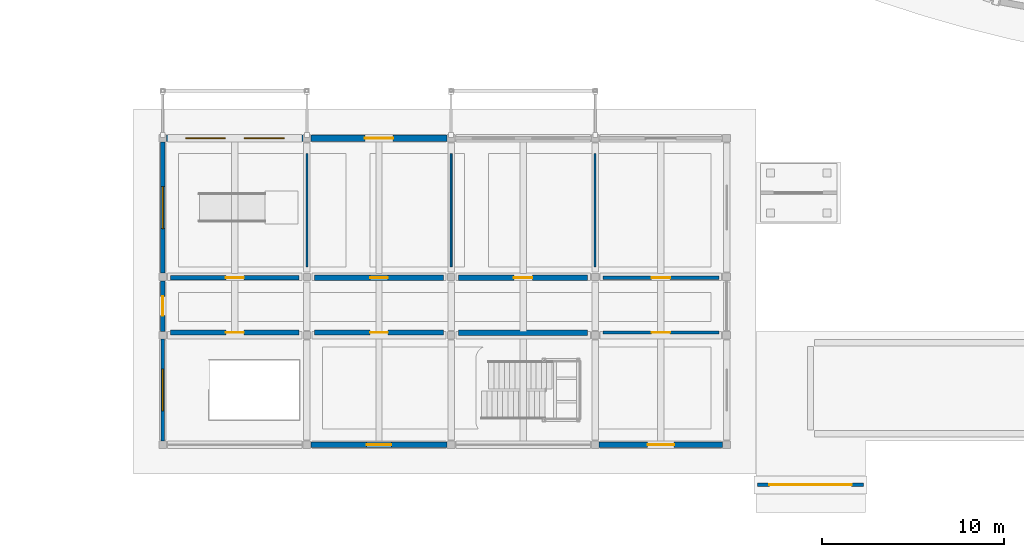
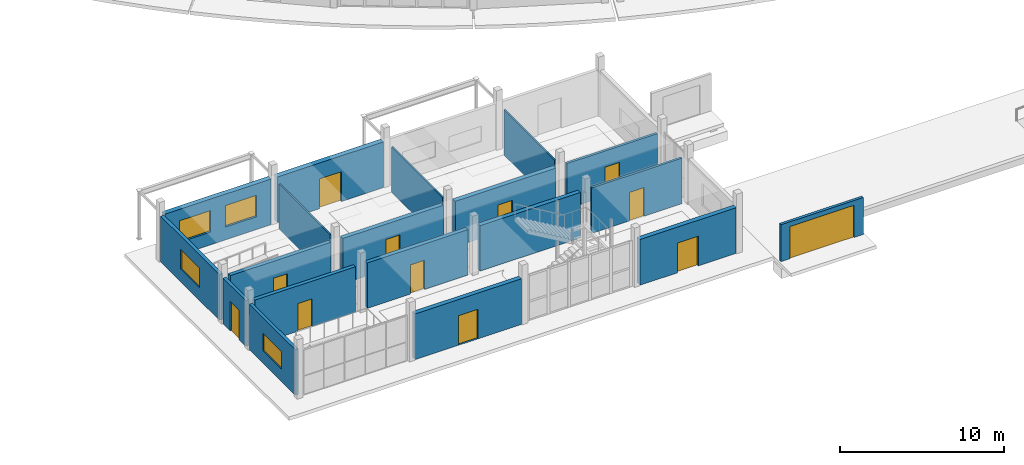
# One storey, part 65 of 92: 19 walls, 12 doors, 4 windows, 16 openings.
"""IFC4 building model written with IfcOpenShell, lengths in metres."""

from ifc_helpers import new_model, si_unit, direction, frame, frame_2d, origin, place, context, subcontext, project, spatial, rectangle, extrude, material, layer, layer_set, type_object, element, fill, save


model = new_model("IFC4")

# Units and contexts
model_context = context("Model", 3, precision=1e-05, world=origin(), true_north=direction((0.0, 1.0)))
body_context = subcontext(model_context, "Body", "Model", "MODEL_VIEW")
ifc_project = project(units=[si_unit("LENGTHUNIT", "METRE"), si_unit("AREAUNIT", "SQUARE_METRE"), si_unit("VOLUMEUNIT", "CUBIC_METRE"), si_unit("PLANEANGLEUNIT", "RADIAN"), si_unit("MASSUNIT", "GRAM", prefix="KILO")], contexts=[model_context])

# Site, building, storey
site_placement = place(None, origin())
site = spatial("IfcSite", under=ifc_project, at=site_placement, CompositionType="ELEMENT")
building_placement = place(site_placement, origin())
building = spatial("IfcBuilding", under=site, at=building_placement, Name="Caldaven Crescent School", CompositionType="ELEMENT")
storey_placement = place(building_placement, origin())
storey = spatial("IfcBuildingStorey", under=building, at=storey_placement, Name="L00", CompositionType="ELEMENT", Elevation=0.0)

# Wall, opening, door
ifc_material_1 = material(Name="Precast concrete C35/45", Category="concrete")
ifc_layer_1 = layer(ifc_material_1, 0.19189453125)
ifc_layer_set_1 = layer_set([ifc_layer_1], Name="Precast concrete C35/45")
wall_type_1 = type_object("IfcWallType", Name="WAL-EW01", PredefinedType="STANDARD", material=ifc_layer_set_1)
wall_1_placement = place(storey_placement, frame((58.10009765625, 2.0, 0.0), z_axis=(0.0, 0.0, 1.0), x_axis=(1.0, 0.0, 0.0)))
wall_1 = element("IfcWall", 1, at=wall_1_placement, inside=storey, type_object=wall_type_1, Name="WAL-GATE-VG1", PredefinedType="STANDARD", context=body_context, shape_type="SweptSolid", body=[
    extrude(rectangle(XDim=5.7998046875, YDim=0.19189453125, at=frame_2d((2.89990234375, 0.0))), origin(), (0.0, 0.0, 1.0), 2.75),
])
opening_1_placement = place(wall_1_placement, frame((0.64990234375, 0.0, 0.0)))
opening_1 = element("IfcOpeningElement", 2, at=opening_1_placement, cuts=wall_1, Name="Opening VG1", PredefinedType="OPENING", context=body_context, shape_type="SweptSolid", body=[
    extrude(rectangle(XDim=4.5, YDim=2.39990234375, at=frame_2d((2.25, 1.199951171875))), frame((0.0, 0.10595703125, 0.0), z_axis=(0.0, -1.0, 0.0), x_axis=(1.0, 0.0, 0.0)), (0.0, 0.0, 1.0), 0.2119140625),
])
ifc_material_2 = material(Name="Powder-coated galvanised tubular steel security gate", Category="steel")
door_type_1 = type_object("IfcDoorType", Name="DOR-GT01", OperationType="NOTDEFINED", PredefinedType="GATE", material=ifc_material_2)
door_1_placement = place(opening_1_placement, frame((4.5, 0.0, 0.0), z_axis=(0.0, 0.0, 1.0), x_axis=(-1.0, 0.0, 0.0)))
door_1 = element("IfcDoor", 3, at=door_1_placement, inside=storey, type_object=door_type_1, Name="GATE-VG1", OperationType="DOUBLE_DOOR_SINGLE_SWING", OverallHeight=2.39990234375, OverallWidth=4.5, PredefinedType="GATE", context=body_context, shape_type="SweptSolid", body=[
    extrude(rectangle(XDim=4.5, YDim=2.39990234375, at=frame_2d((2.25, 1.199951171875))), frame((0.0, 0.02490234375, 0.0), z_axis=(0.0, -1.0, 0.0), x_axis=(1.0, 0.0, 0.0)), (0.0, 0.0, 1.0), 0.050048828125),
])
fill(opening_1, door_1)

# Wall, opening, window
ifc_layer_2 = layer(ifc_material_1, 0.216064453125)
ifc_layer_set_2 = layer_set([ifc_layer_2], Name="Precast concrete C35/45")
wall_type_2 = type_object("IfcWallType", Name="WAL-EW03", PredefinedType="STANDARD", material=ifc_layer_set_2)
wall_2_placement = place(storey_placement, frame((25.5, 4.4130859375, 0.0), z_axis=(0.0, 0.0, 1.0), x_axis=(0.0, 1.0, 0.0)))
wall_2 = element("IfcWall", 4, at=wall_2_placement, inside=storey, type_object=wall_type_2, Name="EW-L00-058", PredefinedType="STANDARD", context=body_context, shape_type="SweptSolid", body=[
    extrude(rectangle(XDim=5.573974609375, YDim=0.216064453125, at=frame_2d((2.787109375, 0.0))), origin(), (0.0, 0.0, 1.0), 3.39990234375),
])
opening_2_placement = place(wall_2_placement, frame((1.636962890625, 0.0, 0.949951171875)))
opening_2 = element("IfcOpeningElement", 5, at=opening_2_placement, cuts=wall_2, Name="Opening W42", PredefinedType="OPENING", context=body_context, shape_type="SweptSolid", body=[
    extrude(rectangle(XDim=2.300048828125, YDim=1.300048828125, at=frame_2d((1.14990234375, 0.64990234375))), frame((0.0, 0.117919921875, 0.0), z_axis=(0.0, -1.0, 0.0), x_axis=(1.0, 0.0, 0.0)), (0.0, 0.0, 1.0), 0.236083984375),
])
ifc_material_3 = material(Name="Thermally broken anodised aluminium AA 6063-T6 and low-E double glazing", Category="aluminium")
window_type_1 = type_object("IfcWindowType", Name="WIN-W42", PartitioningType="SINGLE_PANEL", PredefinedType="WINDOW", material=ifc_material_3)
window_1_placement = place(opening_2_placement, origin())
window_1 = element("IfcWindow", 6, at=window_1_placement, inside=storey, type_object=window_type_1, Name="WIN-L00-041-1", OverallHeight=1.300048828125, OverallWidth=2.300048828125, PartitioningType="SINGLE_PANEL", PredefinedType="WINDOW", context=body_context, shape_type="SweptSolid", body=[
    extrude(rectangle(XDim=2.300048828125, YDim=1.300048828125, at=frame_2d((1.14990234375, 0.64990234375))), frame((0.0, 0.030029296875, 0.0), z_axis=(0.0, -1.0, 0.0), x_axis=(1.0, 0.0, 0.0)), (0.0, 0.0, 1.0), 0.06005859375),
])
fill(opening_2, window_1)

# Wall, opening, door
ifc_layer_3 = layer(ifc_material_1, 0.22802734375)
ifc_layer_set_3 = layer_set([ifc_layer_3], Name="Precast concrete C35/45")
wall_type_3 = type_object("IfcWallType", Name="WAL-EW04", PredefinedType="STANDARD", material=ifc_layer_set_3)
wall_3_placement = place(storey_placement, frame((25.5, 10.4130859375, 0.0), z_axis=(0.0, 0.0, 1.0), x_axis=(0.0, 1.0, 0.0)))
wall_3 = element("IfcWall", 7, at=wall_3_placement, inside=storey, type_object=wall_type_3, Name="EW-L00-059", PredefinedType="STANDARD", context=body_context, shape_type="SweptSolid", body=[
    extrude(rectangle(XDim=2.77392578125, YDim=0.22802734375, at=frame_2d((1.386962890625, 0.0))), origin(), (0.0, 0.0, 1.0), 3.39990234375),
])
opening_3_placement = place(wall_3_placement, frame((0.85693359375, 0.0, 0.0)))
opening_3 = element("IfcOpeningElement", 8, at=opening_3_placement, cuts=wall_3, Name="Opening D-L00-E018", PredefinedType="OPENING", context=body_context, shape_type="SweptSolid", body=[
    extrude(rectangle(XDim=1.06005859375, YDim=2.179931640625, at=frame_2d((0.530029296875, 1.08984375))), frame((0.0, 0.1240234375, 0.0), z_axis=(0.0, -1.0, 0.0), x_axis=(1.0, 0.0, 0.0)), (0.0, 0.0, 1.0), 0.248046875),
])
ifc_material_4 = material(Name="Thermally broken bronze-anodised aluminium and laminated safety glass", Category="aluminium")
door_type_2 = type_object("IfcDoorType", Name="DOR-EX03", OperationType="NOTDEFINED", PredefinedType="DOOR", material=ifc_material_4)
door_2_placement = place(opening_3_placement, origin())
door_2 = element("IfcDoor", 9, at=door_2_placement, inside=storey, type_object=door_type_2, Name="DOR-EXT-L00-018", OperationType="SINGLE_SWING_LEFT", OverallHeight=2.179931640625, OverallWidth=1.06005859375, PredefinedType="DOOR", context=body_context, shape_type="SweptSolid", body=[
    extrude(rectangle(XDim=1.06005859375, YDim=2.179931640625, at=frame_2d((0.530029296875, 1.08984375))), frame((0.0, 0.02490234375, 0.0), z_axis=(0.0, -1.0, 0.0), x_axis=(1.0, 0.0, 0.0)), (0.0, 0.0, 1.0), 0.050048828125),
])
fill(opening_3, door_2)

# Wall, opening, window
ifc_layer_4 = layer(ifc_material_1, 0.239990234375)
ifc_layer_set_4 = layer_set([ifc_layer_4], Name="Precast concrete C35/45")
wall_type_4 = type_object("IfcWallType", Name="WAL-EW05", PredefinedType="STANDARD", material=ifc_layer_set_4)
wall_4_placement = place(storey_placement, frame((25.5, 13.613037109375, 0.0), z_axis=(0.0, 0.0, 1.0), x_axis=(0.0, 1.0, 0.0)))
wall_4 = element("IfcWall", 10, at=wall_4_placement, inside=storey, type_object=wall_type_4, Name="EW-L00-060", PredefinedType="STANDARD", context=body_context, shape_type="SweptSolid", body=[
    extrude(rectangle(XDim=7.174072265625, YDim=0.239990234375, at=frame_2d((3.5869140625, 0.0))), origin(), (0.0, 0.0, 1.0), 3.39990234375),
])
opening_4_placement = place(wall_4_placement, frame((2.43701171875, 0.0, 0.949951171875)))
opening_4 = element("IfcOpeningElement", 11, at=opening_4_placement, cuts=wall_4, Name="Opening W43", PredefinedType="OPENING", context=body_context, shape_type="SweptSolid", body=[
    extrude(rectangle(XDim=2.300048828125, YDim=1.449951171875, at=frame_2d((1.14990234375, 0.72509765625))), frame((0.0, 0.1298828125, 0.0), z_axis=(0.0, -1.0, 0.0), x_axis=(1.0, 0.0, 0.0)), (0.0, 0.0, 1.0), 0.260009765625),
])
window_type_2 = type_object("IfcWindowType", Name="WIN-W43", PartitioningType="SINGLE_PANEL", PredefinedType="WINDOW", material=ifc_material_3)
window_2_placement = place(opening_4_placement, origin())
window_2 = element("IfcWindow", 12, at=window_2_placement, inside=storey, type_object=window_type_2, Name="WIN-L00-042-1", OverallHeight=1.449951171875, OverallWidth=2.300048828125, PartitioningType="SINGLE_PANEL", PredefinedType="WINDOW", context=body_context, shape_type="SweptSolid", body=[
    extrude(rectangle(XDim=2.300048828125, YDim=1.449951171875, at=frame_2d((1.14990234375, 0.72509765625))), frame((0.0, 0.030029296875, 0.0), z_axis=(0.0, -1.0, 0.0), x_axis=(1.0, 0.0, 0.0)), (0.0, 0.0, 1.0), 0.06005859375),
])
fill(opening_4, window_2)

# Wall, opening, door
ifc_layer_5 = layer(ifc_material_1, 0.31201171875)
ifc_layer_set_5 = layer_set([ifc_layer_5], Name="Precast concrete C35/45")
wall_type_5 = type_object("IfcWallType", Name="WAL-EW11", PredefinedType="STANDARD", material=ifc_layer_set_5)
wall_5_placement = place(storey_placement, frame((33.613037109375, 4.199951171875, 0.0), z_axis=(0.0, 0.0, 1.0), x_axis=(1.0, 0.0, 0.0)))
wall_5 = element("IfcWall", 13, at=wall_5_placement, inside=storey, type_object=wall_type_5, Name="EW-L00-052", PredefinedType="STANDARD", context=body_context, shape_type="SweptSolid", body=[
    extrude(rectangle(XDim=7.473876953125, YDim=0.31201171875, at=frame_2d((3.73681640625, 0.0))), origin(), (0.0, 0.0, 1.0), 3.39990234375),
])
opening_5_placement = place(wall_5_placement, frame((3.06201171875, 0.0, 0.0)))
opening_5 = element("IfcOpeningElement", 14, at=opening_5_placement, cuts=wall_5, Name="Opening D-L00-E014", PredefinedType="OPENING", context=body_context, shape_type="SweptSolid", body=[
    extrude(rectangle(XDim=1.35009765625, YDim=2.199951171875, at=frame_2d((0.675048828125, 1.10009765625))), frame((0.0, 0.166015625, 0.0), z_axis=(0.0, -1.0, 0.0), x_axis=(1.0, 0.0, 0.0)), (0.0, 0.0, 1.0), 0.33203125),
])
door_type_3 = type_object("IfcDoorType", Name="DOR-EX06", OperationType="NOTDEFINED", PredefinedType="DOOR", material=ifc_material_4)
door_3_placement = place(opening_5_placement, frame((1.35009765625, 0.0, 0.0), z_axis=(0.0, 0.0, 1.0), x_axis=(-1.0, 0.0, 0.0)))
door_3 = element("IfcDoor", 15, at=door_3_placement, inside=storey, type_object=door_type_3, Name="DOR-EXT-L00-014", OperationType="DOUBLE_DOOR_SINGLE_SWING", OverallHeight=2.199951171875, OverallWidth=1.35009765625, PredefinedType="DOOR", context=body_context, shape_type="SweptSolid", body=[
    extrude(rectangle(XDim=1.35009765625, YDim=2.199951171875, at=frame_2d((0.675048828125, 1.10009765625))), frame((0.0, 0.02490234375, 0.0), z_axis=(0.0, -1.0, 0.0), x_axis=(1.0, 0.0, 0.0)), (0.0, 0.0, 1.0), 0.050048828125),
])
fill(opening_5, door_3)

ifc_layer_6 = layer(ifc_material_1, 0.323974609375)
ifc_layer_set_6 = layer_set([ifc_layer_6], Name="Precast concrete C35/45")
wall_type_6 = type_object("IfcWallType", Name="WAL-EW12", PredefinedType="STANDARD", material=ifc_layer_set_6)
wall_6_placement = place(storey_placement, frame((49.4130859375, 4.199951171875, 0.0), z_axis=(0.0, 0.0, 1.0), x_axis=(1.0, 0.0, 0.0)))
wall_6 = element("IfcWall", 16, at=wall_6_placement, inside=storey, type_object=wall_type_6, Name="EW-L00-053", PredefinedType="STANDARD", context=body_context, shape_type="SweptSolid", body=[
    extrude(rectangle(XDim=6.77392578125, YDim=0.323974609375, at=frame_2d((3.386962890625, 0.0))), origin(), (0.0, 0.0, 1.0), 3.39990234375),
])
opening_6_placement = place(wall_6_placement, frame((2.662109375, 0.0, 0.0)))
opening_6 = element("IfcOpeningElement", 17, at=opening_6_placement, cuts=wall_6, Name="Opening D-L00-E015", PredefinedType="OPENING", context=body_context, shape_type="SweptSolid", body=[
    extrude(rectangle(XDim=1.449951171875, YDim=2.219970703125, at=frame_2d((0.72509765625, 1.10986328125))), frame((0.0, 0.171875, 0.0), z_axis=(0.0, -1.0, 0.0), x_axis=(1.0, 0.0, 0.0)), (0.0, 0.0, 1.0), 0.343994140625),
])
door_type_4 = type_object("IfcDoorType", Name="DOR-EX07", OperationType="NOTDEFINED", PredefinedType="DOOR", material=ifc_material_4)
door_4_placement = place(opening_6_placement, frame((1.449951171875, 0.0, 0.0), z_axis=(0.0, 0.0, 1.0), x_axis=(-1.0, 0.0, 0.0)))
door_4 = element("IfcDoor", 18, at=door_4_placement, inside=storey, type_object=door_type_4, Name="DOR-EXT-L00-015", OperationType="DOUBLE_DOOR_SINGLE_SWING", OverallHeight=2.219970703125, OverallWidth=1.449951171875, PredefinedType="DOOR", context=body_context, shape_type="SweptSolid", body=[
    extrude(rectangle(XDim=1.449951171875, YDim=2.219970703125, at=frame_2d((0.72509765625, 1.10986328125))), frame((0.0, 0.02490234375, 0.0), z_axis=(0.0, -1.0, 0.0), x_axis=(1.0, 0.0, 0.0)), (0.0, 0.0, 1.0), 0.050048828125),
])
fill(opening_6, door_4)

# Wall, openings, windows
ifc_layer_7 = layer(ifc_material_1, 0.3359375)
ifc_layer_set_7 = layer_set([ifc_layer_7], Name="Precast concrete C35/45")
wall_type_7 = type_object("IfcWallType", Name="WAL-EW13", PredefinedType="STANDARD", material=ifc_layer_set_7)
wall_7_placement = place(storey_placement, frame((25.712890625, 21.0, 0.0), z_axis=(0.0, 0.0, 1.0), x_axis=(1.0, 0.0, 0.0)))
wall_7 = element("IfcWall", 19, at=wall_7_placement, inside=storey, type_object=wall_type_7, Name="EW-L00-054", PredefinedType="STANDARD", context=body_context, shape_type="SweptSolid", body=[
    extrude(rectangle(XDim=7.47412109375, YDim=0.3359375, at=frame_2d((3.737060546875, 0.0))), origin(), (0.0, 0.0, 1.0), 3.39990234375),
])
opening_7_placement = place(wall_7_placement, frame((1.0380859375, 0.0, 0.949951171875)))
opening_7 = element("IfcOpeningElement", 20, at=opening_7_placement, cuts=wall_7, Name="Opening W40", PredefinedType="OPENING", context=body_context, shape_type="SweptSolid", body=[
    extrude(rectangle(XDim=2.179931640625, YDim=1.60009765625, at=frame_2d((1.08984375, 0.800048828125))), frame((0.0, 0.177978515625, 0.0), z_axis=(0.0, -1.0, 0.0), x_axis=(1.0, 0.0, 0.0)), (0.0, 0.0, 1.0), 0.35595703125),
])
opening_8_placement = place(wall_7_placement, frame((4.256103515625, 0.0, 0.949951171875)))
opening_8 = element("IfcOpeningElement", 21, at=opening_8_placement, cuts=wall_7, Name="Opening W40", PredefinedType="OPENING", context=body_context, shape_type="SweptSolid", body=[
    extrude(rectangle(XDim=2.179931640625, YDim=1.60009765625, at=frame_2d((1.08984375, 0.800048828125))), frame((0.0, 0.177978515625, 0.0), z_axis=(0.0, -1.0, 0.0), x_axis=(1.0, 0.0, 0.0)), (0.0, 0.0, 1.0), 0.35595703125),
])
window_type_3 = type_object("IfcWindowType", Name="WIN-W40", PartitioningType="SINGLE_PANEL", PredefinedType="WINDOW", material=ifc_material_3)
window_3_placement = place(opening_7_placement, origin())
window_3 = element("IfcWindow", 22, at=window_3_placement, inside=storey, type_object=window_type_3, Name="WIN-L00-039-1", OverallHeight=1.60009765625, OverallWidth=2.179931640625, PartitioningType="SINGLE_PANEL", PredefinedType="WINDOW", context=body_context, shape_type="SweptSolid", body=[
    extrude(rectangle(XDim=2.179931640625, YDim=1.60009765625, at=frame_2d((1.08984375, 0.800048828125))), frame((0.0, 0.030029296875, 0.0), z_axis=(0.0, -1.0, 0.0), x_axis=(1.0, 0.0, 0.0)), (0.0, 0.0, 1.0), 0.06005859375),
])
fill(opening_7, window_3)
window_4_placement = place(opening_8_placement, origin())
window_4 = element("IfcWindow", 23, at=window_4_placement, inside=storey, type_object=window_type_3, Name="WIN-L00-039-2", OverallHeight=1.60009765625, OverallWidth=2.179931640625, PartitioningType="SINGLE_PANEL", PredefinedType="WINDOW", context=body_context, shape_type="SweptSolid", body=[
    extrude(rectangle(XDim=2.179931640625, YDim=1.60009765625, at=frame_2d((1.08984375, 0.800048828125))), frame((0.0, 0.030029296875, 0.0), z_axis=(0.0, -1.0, 0.0), x_axis=(1.0, 0.0, 0.0)), (0.0, 0.0, 1.0), 0.06005859375),
])
fill(opening_8, window_4)

# Wall, opening, door
ifc_layer_8 = layer(ifc_material_1, 0.347900390625)
ifc_layer_set_8 = layer_set([ifc_layer_8], Name="Precast concrete C35/45")
wall_type_8 = type_object("IfcWallType", Name="WAL-EW14", PredefinedType="STANDARD", material=ifc_layer_set_8)
wall_8_placement = place(storey_placement, frame((33.613037109375, 21.0, 0.0), z_axis=(0.0, 0.0, 1.0), x_axis=(1.0, 0.0, 0.0)))
wall_8 = element("IfcWall", 24, at=wall_8_placement, inside=storey, type_object=wall_type_8, Name="EW-L00-055", PredefinedType="STANDARD", context=body_context, shape_type="SweptSolid", body=[
    extrude(rectangle(XDim=7.473876953125, YDim=0.347900390625, at=frame_2d((3.73681640625, 0.0))), origin(), (0.0, 0.0, 1.0), 3.39990234375),
])
opening_9_placement = place(wall_8_placement, frame((2.9619140625, 0.0, 0.0)))
opening_9 = element("IfcOpeningElement", 25, at=opening_9_placement, cuts=wall_8, Name="Opening D-L00-E016", PredefinedType="OPENING", context=body_context, shape_type="SweptSolid", body=[
    extrude(rectangle(XDim=1.550048828125, YDim=2.219970703125, at=frame_2d((0.77490234375, 1.10986328125))), frame((0.0, 0.183837890625, 0.0), z_axis=(0.0, -1.0, 0.0), x_axis=(1.0, 0.0, 0.0)), (0.0, 0.0, 1.0), 0.367919921875),
])
door_type_5 = type_object("IfcDoorType", Name="DOR-EX08", OperationType="NOTDEFINED", PredefinedType="DOOR", material=ifc_material_4)
door_5_placement = place(opening_9_placement, origin())
door_5 = element("IfcDoor", 26, at=door_5_placement, inside=storey, type_object=door_type_5, Name="DOR-EXT-L00-016", OperationType="DOUBLE_DOOR_SINGLE_SWING", OverallHeight=2.219970703125, OverallWidth=1.550048828125, PredefinedType="DOOR", context=body_context, shape_type="SweptSolid", body=[
    extrude(rectangle(XDim=1.550048828125, YDim=2.219970703125, at=frame_2d((0.77490234375, 1.10986328125))), frame((0.0, 0.02490234375, 0.0), z_axis=(0.0, -1.0, 0.0), x_axis=(1.0, 0.0, 0.0)), (0.0, 0.0, 1.0), 0.050048828125),
])
fill(opening_9, door_5)

ifc_material_5 = material(Name="Acoustic timber-stud and fire-rated gypsum board assembly", Category="wood")
ifc_layer_9 = layer(ifc_material_5, 0.159912109375)
ifc_layer_set_9 = layer_set([ifc_layer_9], Name="Acoustic timber-stud and fire-rated gypsum board assembly")
wall_type_9 = type_object("IfcWallType", Name="WAL-IW01", PredefinedType="STANDARD", material=ifc_layer_set_9)
wall_9_placement = place(storey_placement, frame((49.6201171875, 10.35009765625, 0.0), z_axis=(0.0, 0.0, 1.0), x_axis=(1.0, 0.0, 0.0)))
wall_9 = element("IfcWall", 27, at=wall_9_placement, inside=storey, type_object=wall_type_9, Name="IW-L00-0112", PredefinedType="STANDARD", context=body_context, shape_type="SweptSolid", body=[
    extrude(rectangle(XDim=6.35986328125, YDim=0.159912109375, at=frame_2d((3.179931640625, 0.0))), origin(), (0.0, 0.0, 1.0), 3.3798828125),
])
opening_10_placement = place(wall_9_placement, frame((2.669921875, 0.0, 0.0)))
opening_10 = element("IfcOpeningElement", 28, at=opening_10_placement, cuts=wall_9, Name="Opening D-L00-I077", PredefinedType="OPENING", context=body_context, shape_type="SweptSolid", body=[
    extrude(rectangle(XDim=1.02001953125, YDim=2.1201171875, at=frame_2d((0.510009765625, 1.06005859375))), frame((0.0, 0.08984375, 0.0), z_axis=(0.0, -1.0, 0.0), x_axis=(1.0, 0.0, 0.0)), (0.0, 0.0, 1.0), 0.179931640625),
])
ifc_material_6 = material(Name="Solid-core Pino Radiata acoustic timber leaf in steel frame", Category="steel")
door_type_6 = type_object("IfcDoorType", Name="DOR-ID18", OperationType="NOTDEFINED", PredefinedType="DOOR", material=ifc_material_6)
door_6_placement = place(opening_10_placement, origin())
door_6 = element("IfcDoor", 29, at=door_6_placement, inside=storey, type_object=door_type_6, Name="DOR-INT-L00-0077", OperationType="SINGLE_SWING_RIGHT", OverallHeight=2.1201171875, OverallWidth=1.02001953125, PredefinedType="DOOR", context=body_context, shape_type="SweptSolid", body=[
    extrude(rectangle(XDim=1.02001953125, YDim=2.1201171875, at=frame_2d((0.510009765625, 1.06005859375))), frame((0.0, 0.02490234375, 0.0), z_axis=(0.0, -1.0, 0.0), x_axis=(1.0, 0.0, 0.0)), (0.0, 0.0, 1.0), 0.050048828125),
])
fill(opening_10, door_6)

ifc_layer_10 = layer(ifc_material_5, 0.169921875)
ifc_layer_set_10 = layer_set([ifc_layer_10], Name="Acoustic timber-stud and fire-rated gypsum board assembly")
wall_type_10 = type_object("IfcWallType", Name="WAL-IW02", PredefinedType="STANDARD", material=ifc_layer_set_10)
wall_10_placement = place(storey_placement, frame((49.6201171875, 13.35009765625, 0.0), z_axis=(0.0, 0.0, 1.0), x_axis=(1.0, 0.0, 0.0)))
wall_10 = element("IfcWall", 30, at=wall_10_placement, inside=storey, type_object=wall_type_10, Name="IW-L00-0113", PredefinedType="STANDARD", context=body_context, shape_type="SweptSolid", body=[
    extrude(rectangle(XDim=6.35986328125, YDim=0.169921875, at=frame_2d((3.179931640625, 0.0))), origin(), (0.0, 0.0, 1.0), 3.3798828125),
])
opening_11_placement = place(wall_10_placement, frame((2.669921875, 0.0, 0.0)))
opening_11 = element("IfcOpeningElement", 31, at=opening_11_placement, cuts=wall_10, Name="Opening D-L00-I078", PredefinedType="OPENING", context=body_context, shape_type="SweptSolid", body=[
    extrude(rectangle(XDim=1.02001953125, YDim=2.179931640625, at=frame_2d((0.510009765625, 1.08984375))), frame((0.0, 0.094970703125, 0.0), z_axis=(0.0, -1.0, 0.0), x_axis=(1.0, 0.0, 0.0)), (0.0, 0.0, 1.0), 0.18994140625),
])
door_type_7 = type_object("IfcDoorType", Name="DOR-ID19", OperationType="NOTDEFINED", PredefinedType="DOOR", material=ifc_material_6)
door_7_placement = place(opening_11_placement, frame((1.02001953125, 0.0, 0.0), z_axis=(0.0, 0.0, 1.0), x_axis=(-1.0, 0.0, 0.0)))
door_7 = element("IfcDoor", 32, at=door_7_placement, inside=storey, type_object=door_type_7, Name="DOR-INT-L00-0078", OperationType="SINGLE_SWING_LEFT", OverallHeight=2.179931640625, OverallWidth=1.02001953125, PredefinedType="DOOR", context=body_context, shape_type="SweptSolid", body=[
    extrude(rectangle(XDim=1.02001953125, YDim=2.179931640625, at=frame_2d((0.510009765625, 1.08984375))), frame((0.0, 0.02490234375, 0.0), z_axis=(0.0, -1.0, 0.0), x_axis=(1.0, 0.0, 0.0)), (0.0, 0.0, 1.0), 0.050048828125),
])
fill(opening_11, door_7)

ifc_layer_11 = layer(ifc_material_5, 0.260009765625)
ifc_layer_set_11 = layer_set([ifc_layer_11], Name="Acoustic timber-stud and fire-rated gypsum board assembly")
wall_type_11 = type_object("IfcWallType", Name="WAL-IW11", PredefinedType="STANDARD", material=ifc_layer_set_11)
wall_11_placement = place(storey_placement, frame((25.919921875, 10.35009765625, 0.0), z_axis=(0.0, 0.0, 1.0), x_axis=(1.0, 0.0, 0.0)))
wall_11 = element("IfcWall", 33, at=wall_11_placement, inside=storey, type_object=wall_type_11, Name="IW-L00-0106", PredefinedType="STANDARD", context=body_context, shape_type="SweptSolid", body=[
    extrude(rectangle(XDim=7.06005859375, YDim=0.260009765625, at=frame_2d((3.530029296875, 0.0))), origin(), (0.0, 0.0, 1.0), 3.3798828125),
])
opening_12_placement = place(wall_11_placement, frame((3.0400390625, 0.0, 0.0)))
opening_12 = element("IfcOpeningElement", 34, at=opening_12_placement, cuts=wall_11, Name="Opening D-L00-I072", PredefinedType="OPENING", context=body_context, shape_type="SweptSolid", body=[
    extrude(rectangle(XDim=0.97998046875, YDim=2.06005859375, at=frame_2d((0.489990234375, 1.030029296875))), frame((0.0, 0.139892578125, 0.0), z_axis=(0.0, -1.0, 0.0), x_axis=(1.0, 0.0, 0.0)), (0.0, 0.0, 1.0), 0.280029296875),
])
door_type_8 = type_object("IfcDoorType", Name="DOR-ID13", OperationType="NOTDEFINED", PredefinedType="DOOR", material=ifc_material_6)
door_8_placement = place(opening_12_placement, origin())
door_8 = element("IfcDoor", 35, at=door_8_placement, inside=storey, type_object=door_type_8, Name="DOR-INT-L00-0072", OperationType="SINGLE_SWING_LEFT", OverallHeight=2.06005859375, OverallWidth=0.97998046875, PredefinedType="DOOR", context=body_context, shape_type="SweptSolid", body=[
    extrude(rectangle(XDim=0.97998046875, YDim=2.06005859375, at=frame_2d((0.489990234375, 1.030029296875))), frame((0.0, 0.02490234375, 0.0), z_axis=(0.0, -1.0, 0.0), x_axis=(1.0, 0.0, 0.0)), (0.0, 0.0, 1.0), 0.050048828125),
])
fill(opening_12, door_8)

ifc_material_7 = material(Name="Autoclaved aerated concrete block masonry G5", Category="masonry")
ifc_layer_12 = layer(ifc_material_7, 0.27001953125)
ifc_layer_set_12 = layer_set([ifc_layer_12], Name="Autoclaved aerated concrete block masonry G5")
wall_type_12 = type_object("IfcWallType", Name="WAL-IW12", PredefinedType="STANDARD", material=ifc_layer_set_12)
wall_12_placement = place(storey_placement, frame((25.919921875, 13.35009765625, 0.0), z_axis=(0.0, 0.0, 1.0), x_axis=(1.0, 0.0, 0.0)))
wall_12 = element("IfcWall", 36, at=wall_12_placement, inside=storey, type_object=wall_type_12, Name="IW-L00-0107", PredefinedType="STANDARD", context=body_context, shape_type="SweptSolid", body=[
    extrude(rectangle(XDim=7.06005859375, YDim=0.27001953125, at=frame_2d((3.530029296875, 0.0))), origin(), (0.0, 0.0, 1.0), 3.3798828125),
])
opening_13_placement = place(wall_12_placement, frame((3.0400390625, 0.0, 0.0)))
opening_13 = element("IfcOpeningElement", 37, at=opening_13_placement, cuts=wall_12, Name="Opening D-L00-I073", PredefinedType="OPENING", context=body_context, shape_type="SweptSolid", body=[
    extrude(rectangle(XDim=0.97998046875, YDim=2.1201171875, at=frame_2d((0.489990234375, 1.06005859375))), frame((0.0, 0.14501953125, 0.0), z_axis=(0.0, -1.0, 0.0), x_axis=(1.0, 0.0, 0.0)), (0.0, 0.0, 1.0), 0.2900390625),
])
door_type_9 = type_object("IfcDoorType", Name="DOR-ID14", OperationType="NOTDEFINED", PredefinedType="DOOR", material=ifc_material_6)
door_9_placement = place(opening_13_placement, frame((0.97998046875, 0.0, 0.0), z_axis=(0.0, 0.0, 1.0), x_axis=(-1.0, 0.0, 0.0)))
door_9 = element("IfcDoor", 38, at=door_9_placement, inside=storey, type_object=door_type_9, Name="DOR-INT-L00-0073", OperationType="SINGLE_SWING_RIGHT", OverallHeight=2.1201171875, OverallWidth=0.97998046875, PredefinedType="DOOR", context=body_context, shape_type="SweptSolid", body=[
    extrude(rectangle(XDim=0.97998046875, YDim=2.1201171875, at=frame_2d((0.489990234375, 1.06005859375))), frame((0.0, 0.02490234375, 0.0), z_axis=(0.0, -1.0, 0.0), x_axis=(1.0, 0.0, 0.0)), (0.0, 0.0, 1.0), 0.050048828125),
])
fill(opening_13, door_9)

ifc_layer_13 = layer(ifc_material_7, 0.280029296875)
ifc_layer_set_13 = layer_set([ifc_layer_13], Name="Autoclaved aerated concrete block masonry G5")
wall_type_13 = type_object("IfcWallType", Name="WAL-IW13", PredefinedType="STANDARD", material=ifc_layer_set_13)
wall_13_placement = place(storey_placement, frame((33.820068359375, 10.35009765625, 0.0), z_axis=(0.0, 0.0, 1.0), x_axis=(1.0, 0.0, 0.0)))
wall_13 = element("IfcWall", 39, at=wall_13_placement, inside=storey, type_object=wall_type_13, Name="IW-L00-0108", PredefinedType="STANDARD", context=body_context, shape_type="SweptSolid", body=[
    extrude(rectangle(XDim=7.059814453125, YDim=0.280029296875, at=frame_2d((3.52978515625, 0.0))), origin(), (0.0, 0.0, 1.0), 3.3798828125),
])
opening_14_placement = place(wall_13_placement, frame((3.0400390625, 0.0, 0.0)))
opening_14 = element("IfcOpeningElement", 40, at=opening_14_placement, cuts=wall_13, Name="Opening D-L00-I074", PredefinedType="OPENING", context=body_context, shape_type="SweptSolid", body=[
    extrude(rectangle(XDim=0.97998046875, YDim=2.179931640625, at=frame_2d((0.489990234375, 1.08984375))), frame((0.0, 0.14990234375, 0.0), z_axis=(0.0, -1.0, 0.0), x_axis=(1.0, 0.0, 0.0)), (0.0, 0.0, 1.0), 0.300048828125),
])
door_type_10 = type_object("IfcDoorType", Name="DOR-ID15", OperationType="NOTDEFINED", PredefinedType="DOOR", material=ifc_material_6)
door_10_placement = place(opening_14_placement, origin())
door_10 = element("IfcDoor", 41, at=door_10_placement, inside=storey, type_object=door_type_10, Name="DOR-INT-L00-0074", OperationType="SINGLE_SWING_LEFT", OverallHeight=2.179931640625, OverallWidth=0.97998046875, PredefinedType="DOOR", context=body_context, shape_type="SweptSolid", body=[
    extrude(rectangle(XDim=0.97998046875, YDim=2.179931640625, at=frame_2d((0.489990234375, 1.08984375))), frame((0.0, 0.02490234375, 0.0), z_axis=(0.0, -1.0, 0.0), x_axis=(1.0, 0.0, 0.0)), (0.0, 0.0, 1.0), 0.050048828125),
])
fill(opening_14, door_10)

ifc_layer_14 = layer(ifc_material_7, 0.2900390625)
ifc_layer_set_14 = layer_set([ifc_layer_14], Name="Autoclaved aerated concrete block masonry G5")
wall_type_14 = type_object("IfcWallType", Name="WAL-IW14", PredefinedType="STANDARD", material=ifc_layer_set_14)
wall_14_placement = place(storey_placement, frame((33.820068359375, 13.35009765625, 0.0), z_axis=(0.0, 0.0, 1.0), x_axis=(1.0, 0.0, 0.0)))
wall_14 = element("IfcWall", 42, at=wall_14_placement, inside=storey, type_object=wall_type_14, Name="IW-L00-0109", PredefinedType="STANDARD", context=body_context, shape_type="SweptSolid", body=[
    extrude(rectangle(XDim=7.059814453125, YDim=0.2900390625, at=frame_2d((3.52978515625, 0.0))), origin(), (0.0, 0.0, 1.0), 3.3798828125),
])
opening_15_placement = place(wall_14_placement, frame((3.0400390625, 0.0, 0.0)))
opening_15 = element("IfcOpeningElement", 43, at=opening_15_placement, cuts=wall_14, Name="Opening D-L00-I075", PredefinedType="OPENING", context=body_context, shape_type="SweptSolid", body=[
    extrude(rectangle(XDim=0.97998046875, YDim=2.239990234375, at=frame_2d((0.489990234375, 1.1201171875))), frame((0.0, 0.155029296875, 0.0), z_axis=(0.0, -1.0, 0.0), x_axis=(1.0, 0.0, 0.0)), (0.0, 0.0, 1.0), 0.31005859375),
])
door_type_11 = type_object("IfcDoorType", Name="DOR-ID16", OperationType="NOTDEFINED", PredefinedType="DOOR", material=ifc_material_6)
door_11_placement = place(opening_15_placement, frame((0.97998046875, 0.0, 0.0), z_axis=(0.0, 0.0, 1.0), x_axis=(-1.0, 0.0, 0.0)))
door_11 = element("IfcDoor", 44, at=door_11_placement, inside=storey, type_object=door_type_11, Name="DOR-INT-L00-0075", OperationType="SINGLE_SWING_RIGHT", OverallHeight=2.239990234375, OverallWidth=0.97998046875, PredefinedType="DOOR", context=body_context, shape_type="SweptSolid", body=[
    extrude(rectangle(XDim=0.97998046875, YDim=2.239990234375, at=frame_2d((0.489990234375, 1.1201171875))), frame((0.0, 0.02490234375, 0.0), z_axis=(0.0, -1.0, 0.0), x_axis=(1.0, 0.0, 0.0)), (0.0, 0.0, 1.0), 0.050048828125),
])
fill(opening_15, door_11)

# Wall
ifc_layer_15 = layer(ifc_material_7, 0.300048828125)
ifc_layer_set_15 = layer_set([ifc_layer_15], Name="Autoclaved aerated concrete block masonry G5")
wall_type_15 = type_object("IfcWallType", Name="WAL-IW15", PredefinedType="STANDARD", material=ifc_layer_set_15)
wall_15_placement = place(storey_placement, frame((41.719970703125, 10.35009765625, 0.0), z_axis=(0.0, 0.0, 1.0), x_axis=(1.0, 0.0, 0.0)))
element("IfcWall", 45, at=wall_15_placement, inside=storey, type_object=wall_type_15, Name="IW-L00-0110", PredefinedType="STANDARD", context=body_context, shape_type="SweptSolid", body=[
    extrude(rectangle(XDim=7.06005859375, YDim=0.300048828125, at=frame_2d((3.530029296875, 0.0))), origin(), (0.0, 0.0, 1.0), 3.3798828125),
])

# Wall, opening, door
ifc_layer_16 = layer(ifc_material_7, 0.31005859375)
ifc_layer_set_16 = layer_set([ifc_layer_16], Name="Autoclaved aerated concrete block masonry G5")
wall_type_16 = type_object("IfcWallType", Name="WAL-IW16", PredefinedType="STANDARD", material=ifc_layer_set_16)
wall_16_placement = place(storey_placement, frame((41.719970703125, 13.35009765625, 0.0), z_axis=(0.0, 0.0, 1.0), x_axis=(1.0, 0.0, 0.0)))
wall_16 = element("IfcWall", 46, at=wall_16_placement, inside=storey, type_object=wall_type_16, Name="IW-L00-0111", PredefinedType="STANDARD", context=body_context, shape_type="SweptSolid", body=[
    extrude(rectangle(XDim=7.06005859375, YDim=0.31005859375, at=frame_2d((3.530029296875, 0.0))), origin(), (0.0, 0.0, 1.0), 3.3798828125),
])
opening_16_placement = place(wall_16_placement, frame((3.02001953125, 0.0, 0.0)))
opening_16 = element("IfcOpeningElement", 47, at=opening_16_placement, cuts=wall_16, Name="Opening D-L00-I076", PredefinedType="OPENING", context=body_context, shape_type="SweptSolid", body=[
    extrude(rectangle(XDim=1.02001953125, YDim=2.06005859375, at=frame_2d((0.510009765625, 1.030029296875))), frame((0.0, 0.1650390625, 0.0), z_axis=(0.0, -1.0, 0.0), x_axis=(1.0, 0.0, 0.0)), (0.0, 0.0, 1.0), 0.330078125),
])
door_type_12 = type_object("IfcDoorType", Name="DOR-ID17", OperationType="NOTDEFINED", PredefinedType="DOOR", material=ifc_material_6)
door_12_placement = place(opening_16_placement, frame((1.02001953125, 0.0, 0.0), z_axis=(0.0, 0.0, 1.0), x_axis=(-1.0, 0.0, 0.0)))
door_12 = element("IfcDoor", 48, at=door_12_placement, inside=storey, type_object=door_type_12, Name="DOR-INT-L00-0076", OperationType="SINGLE_SWING_LEFT", OverallHeight=2.06005859375, OverallWidth=1.02001953125, PredefinedType="DOOR", context=body_context, shape_type="SweptSolid", body=[
    extrude(rectangle(XDim=1.02001953125, YDim=2.06005859375, at=frame_2d((0.510009765625, 1.030029296875))), frame((0.0, 0.02490234375, 0.0), z_axis=(0.0, -1.0, 0.0), x_axis=(1.0, 0.0, 0.0)), (0.0, 0.0, 1.0), 0.050048828125),
])
fill(opening_16, door_12)

# Walls
ifc_material_8 = material(Name="Acoustic double-layer gypsum partition on galvanised steel studs", Category="steel")
ifc_layer_17 = layer(ifc_material_8, 0.097900390625)
ifc_layer_set_17 = layer_set([ifc_layer_17], Name="Acoustic double-layer gypsum partition on galvanised steel studs")
wall_type_17 = type_object("IfcWallType", Name="WAL-PT03", PredefinedType="PARTITIONING", material=ifc_layer_set_17)
wall_17_placement = place(storey_placement, frame((33.39990234375, 13.949951171875, 0.0), z_axis=(0.0, 0.0, 1.0), x_axis=(0.0, 1.0, 0.0)))
element("IfcWall", 49, at=wall_17_placement, inside=storey, type_object=wall_type_17, Name="IW-L00-0114", PredefinedType="PARTITIONING", context=body_context, shape_type="SweptSolid", body=[
    extrude(rectangle(XDim=6.199951171875, YDim=0.097900390625, at=frame_2d((3.10009765625, 0.0))), origin(), (0.0, 0.0, 1.0), 3.3798828125),
])
ifc_layer_18 = layer(ifc_material_8, 0.10400390625)
ifc_layer_set_18 = layer_set([ifc_layer_18], Name="Acoustic double-layer gypsum partition on galvanised steel studs")
wall_type_18 = type_object("IfcWallType", Name="WAL-PT04", PredefinedType="PARTITIONING", material=ifc_layer_set_18)
wall_18_placement = place(storey_placement, frame((41.300048828125, 13.949951171875, 0.0), z_axis=(0.0, 0.0, 1.0), x_axis=(0.0, 1.0, 0.0)))
element("IfcWall", 50, at=wall_18_placement, inside=storey, type_object=wall_type_18, Name="IW-L00-0115", PredefinedType="PARTITIONING", context=body_context, shape_type="SweptSolid", body=[
    extrude(rectangle(XDim=6.199951171875, YDim=0.10400390625, at=frame_2d((3.10009765625, 0.0))), origin(), (0.0, 0.0, 1.0), 3.3798828125),
])
ifc_layer_19 = layer(ifc_material_8, 0.110107421875)
ifc_layer_set_19 = layer_set([ifc_layer_19], Name="Acoustic double-layer gypsum partition on galvanised steel studs")
wall_type_19 = type_object("IfcWallType", Name="WAL-PT05", PredefinedType="PARTITIONING", material=ifc_layer_set_19)
wall_19_placement = place(storey_placement, frame((49.199951171875, 13.949951171875, 0.0), z_axis=(0.0, 0.0, 1.0), x_axis=(0.0, 1.0, 0.0)))
element("IfcWall", 51, at=wall_19_placement, inside=storey, type_object=wall_type_19, Name="IW-L00-0116", PredefinedType="PARTITIONING", context=body_context, shape_type="SweptSolid", body=[
    extrude(rectangle(XDim=6.199951171875, YDim=0.110107421875, at=frame_2d((3.10009765625, 0.0))), origin(), (0.0, 0.0, 1.0), 3.3798828125),
])

save(model, "model.ifc")
